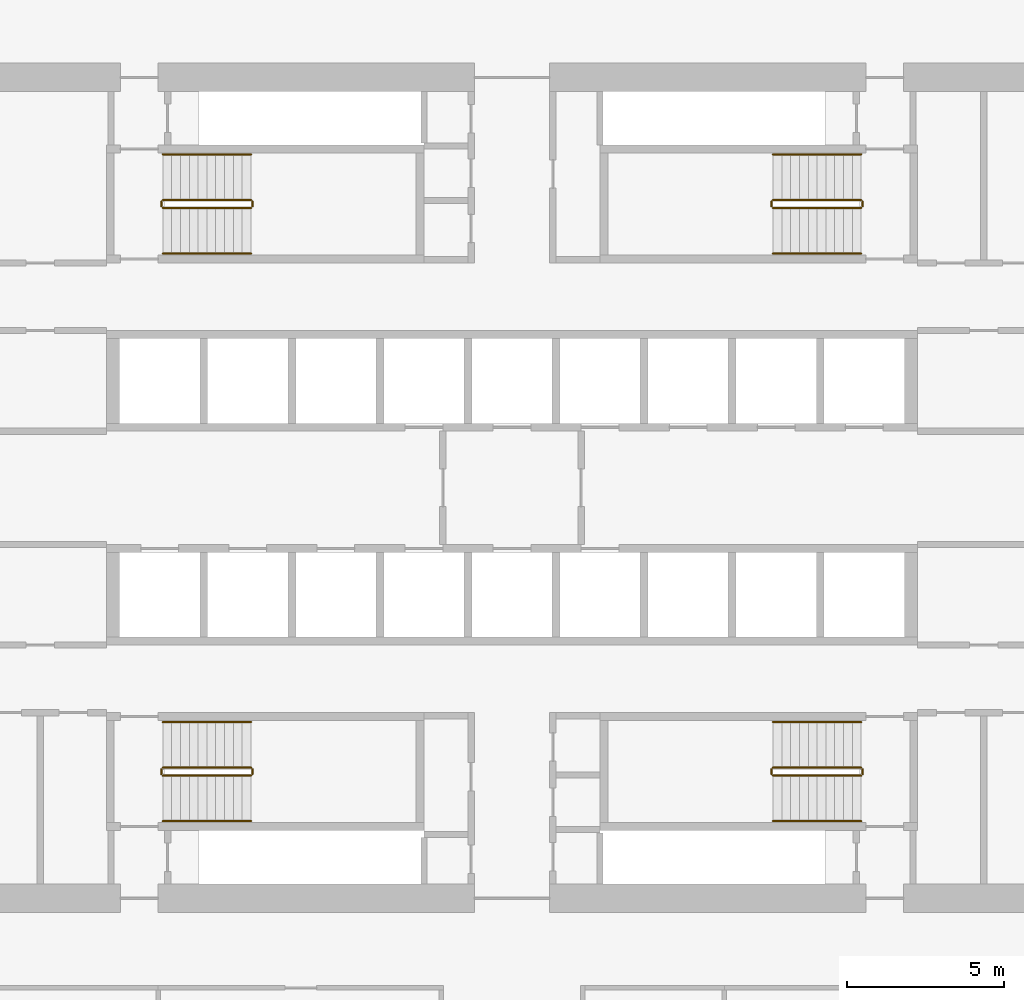
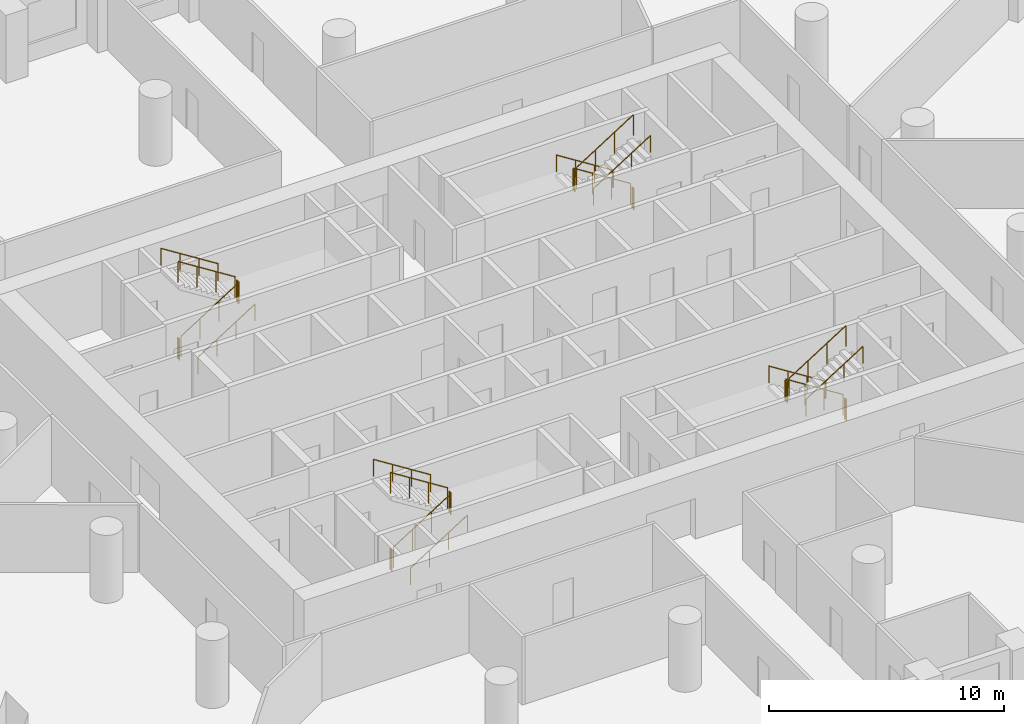
# One storey, part 10 of 10: 24 railings.
"""IFC4 building model written with IfcOpenShell, lengths in metres."""

from ifc_helpers import new_model, si_unit, direction, frame, origin, origin_2d, place, context, subcontext, project, spatial, circle, extrude, material, type_object, element, save


model = new_model("IFC4")

# Units and contexts
model_context = context("Model", 3, precision=1e-05, world=origin(), true_north=direction((0.0, 1.0)))
body_context = subcontext(model_context, "Body", "Model", "MODEL_VIEW")
ifc_project = project(units=[si_unit("LENGTHUNIT", "METRE"), si_unit("AREAUNIT", "SQUARE_METRE"), si_unit("VOLUMEUNIT", "CUBIC_METRE"), si_unit("PLANEANGLEUNIT", "RADIAN"), si_unit("MASSUNIT", "GRAM", prefix="KILO")], contexts=[model_context])

# Site, building, storey
site_placement = place(None, origin())
site = spatial("IfcSite", under=ifc_project, at=site_placement, CompositionType="ELEMENT")
building_placement = place(site_placement, origin())
building = spatial("IfcBuilding", under=site, at=building_placement, Name="Dhurran Vertical Campus", CompositionType="ELEMENT")
storey_placement = place(building_placement, frame((0.0, 0.0, 41.699951171875)))
storey = spatial("IfcBuildingStorey", under=building, at=storey_placement, Name="L09", CompositionType="ELEMENT", Elevation=41.699951171875)

# Railings
ifc_material_1 = material(Name="Stainless steel balustrade", Category="steel")
railing_type_1 = type_object("IfcRailingType", Name="co-RL-GUARD-1100", PredefinedType="GUARDRAIL", material=ifc_material_1)
railing_1_placement = place(storey_placement, frame((-11.10009765625, 8.89990234375, 0.17724609375)))
element("IfcRailing", 1, at=railing_1_placement, inside=storey, type_object=railing_type_1, Name="L09 ST1 stair guard 1", PredefinedType="GUARDRAIL", context=body_context, shape_type="SweptSolid", body=[
    extrude(circle(Radius=0.02392578125, at=origin_2d()), frame((0.0, 0.0, 1.076171875), z_axis=(0.844908973607, 0.0, 0.534910110503), x_axis=(0.0, 1.0, 0.0)), (0.0, 0.0, 1.0), 3.31396484375),
    extrude(circle(Radius=0.02099609375, at=origin_2d()), origin(), (0.0, 0.0, 1.0), 1.052001953125),
    extrude(circle(Radius=0.02099609375, at=origin_2d()), frame((0.933349609375, 0.0, 0.5908203125)), (0.0, 0.0, 1.0), 1.052001953125),
    extrude(circle(Radius=0.02099609375, at=origin_2d()), frame((1.86669921875, 0.0, 1.181884765625)), (0.0, 0.0, 1.0), 1.052001953125),
    extrude(circle(Radius=0.02099609375, at=origin_2d()), frame((2.800048828125, 0.0, 1.772705078125)), (0.0, 0.0, 1.0), 1.052001953125),
])
railing_2_placement = place(storey_placement, frame((-8.25, 8.949951171875, 1.949951171875)))
element("IfcRailing", 2, at=railing_2_placement, inside=storey, type_object=railing_type_1, Name="L09 ST1 stair guard 2", PredefinedType="GUARDRAIL", context=body_context, shape_type="SweptSolid", body=[
    extrude(circle(Radius=0.02392578125, at=origin_2d()), frame((0.0, 0.0, 1.076171875), z_axis=(0.0, 1.0, 0.0), x_axis=(-1.0, 0.0, 0.0)), (0.0, 0.0, 1.0), 0.150146484375),
    extrude(circle(Radius=0.02099609375, at=origin_2d()), origin(), (0.0, 0.0, 1.0), 1.052001953125),
    extrude(circle(Radius=0.02099609375, at=origin_2d()), frame((0.0, 0.150146484375, 0.0)), (0.0, 0.0, 1.0), 1.052001953125),
])
railing_3_placement = place(storey_placement, frame((-8.300048828125, 9.14990234375, 2.12744140625)))
element("IfcRailing", 3, at=railing_3_placement, inside=storey, type_object=railing_type_1, Name="L09 ST1 stair guard 3", PredefinedType="GUARDRAIL", context=body_context, shape_type="SweptSolid", body=[
    extrude(circle(Radius=0.02392578125, at=origin_2d()), frame((0.0, 0.0, 1.076171875), z_axis=(-0.844908973607, 0.0, 0.534910110503), x_axis=(0.0, -1.0, 0.0)), (0.0, 0.0, 1.0), 3.31396484375),
    extrude(circle(Radius=0.02099609375, at=origin_2d()), origin(), (0.0, 0.0, 1.0), 1.052001953125),
    extrude(circle(Radius=0.02099609375, at=origin_2d()), frame((-0.933349609375, 0.0, 0.5908203125)), (0.0, 0.0, 1.0), 1.052001953125),
    extrude(circle(Radius=0.02099609375, at=origin_2d()), frame((-1.86669921875, 0.0, 1.181884765625)), (0.0, 0.0, 1.0), 1.052001953125),
    extrude(circle(Radius=0.02099609375, at=origin_2d()), frame((-2.800048828125, 0.0, 1.772705078125)), (0.0, 0.0, 1.0), 1.052001953125),
])
railing_4_placement = place(storey_placement, frame((-11.14990234375, 8.949951171875, 0.0)))
element("IfcRailing", 4, at=railing_4_placement, inside=storey, type_object=railing_type_1, Name="L09 ST1 stair guard 4", PredefinedType="GUARDRAIL", context=body_context, shape_type="SweptSolid", body=[
    extrude(circle(Radius=0.02392578125, at=origin_2d()), frame((0.0, 0.0, 1.076171875), z_axis=(0.0, 1.0, 0.0), x_axis=(-1.0, 0.0, 0.0)), (0.0, 0.0, 1.0), 0.150146484375),
    extrude(circle(Radius=0.02099609375, at=origin_2d()), origin(), (0.0, 0.0, 1.0), 1.052001953125),
    extrude(circle(Radius=0.02099609375, at=origin_2d()), frame((0.0, 0.150146484375, 0.0)), (0.0, 0.0, 1.0), 1.052001953125),
])
railing_5_placement = place(storey_placement, frame((11.10009765625, 9.14990234375, 0.17724609375)))
element("IfcRailing", 5, at=railing_5_placement, inside=storey, type_object=railing_type_1, Name="L09 ST2 stair guard 1", PredefinedType="GUARDRAIL", context=body_context, shape_type="SweptSolid", body=[
    extrude(circle(Radius=0.02392578125, at=origin_2d()), frame((0.0, 0.0, 1.076171875), z_axis=(-0.844908973607, 0.0, 0.534910110503), x_axis=(0.0, -1.0, 0.0)), (0.0, 0.0, 1.0), 3.31396484375),
    extrude(circle(Radius=0.02099609375, at=origin_2d()), origin(), (0.0, 0.0, 1.0), 1.052001953125),
    extrude(circle(Radius=0.02099609375, at=origin_2d()), frame((-0.933349609375, 0.0, 0.5908203125)), (0.0, 0.0, 1.0), 1.052001953125),
    extrude(circle(Radius=0.02099609375, at=origin_2d()), frame((-1.86669921875, 0.0, 1.181884765625)), (0.0, 0.0, 1.0), 1.052001953125),
    extrude(circle(Radius=0.02099609375, at=origin_2d()), frame((-2.800048828125, 0.0, 1.772705078125)), (0.0, 0.0, 1.0), 1.052001953125),
])
railing_6_placement = place(storey_placement, frame((8.25, 9.10009765625, 1.949951171875)))
element("IfcRailing", 6, at=railing_6_placement, inside=storey, type_object=railing_type_1, Name="L09 ST2 stair guard 2", PredefinedType="GUARDRAIL", context=body_context, shape_type="SweptSolid", body=[
    extrude(circle(Radius=0.02392578125, at=origin_2d()), frame((0.0, 0.0, 1.076171875), z_axis=(0.0, -1.0, 0.0), x_axis=(1.0, 0.0, 0.0)), (0.0, 0.0, 1.0), 0.150146484375),
    extrude(circle(Radius=0.02099609375, at=origin_2d()), origin(), (0.0, 0.0, 1.0), 1.052001953125),
    extrude(circle(Radius=0.02099609375, at=origin_2d()), frame((0.0, -0.150146484375, 0.0)), (0.0, 0.0, 1.0), 1.052001953125),
])
railing_7_placement = place(storey_placement, frame((8.300048828125, 8.89990234375, 2.12744140625)))
element("IfcRailing", 7, at=railing_7_placement, inside=storey, type_object=railing_type_1, Name="L09 ST2 stair guard 3", PredefinedType="GUARDRAIL", context=body_context, shape_type="SweptSolid", body=[
    extrude(circle(Radius=0.02392578125, at=origin_2d()), frame((0.0, 0.0, 1.076171875), z_axis=(0.844908973607, 0.0, 0.534910110503), x_axis=(0.0, 1.0, 0.0)), (0.0, 0.0, 1.0), 3.31396484375),
    extrude(circle(Radius=0.02099609375, at=origin_2d()), origin(), (0.0, 0.0, 1.0), 1.052001953125),
    extrude(circle(Radius=0.02099609375, at=origin_2d()), frame((0.933349609375, 0.0, 0.5908203125)), (0.0, 0.0, 1.0), 1.052001953125),
    extrude(circle(Radius=0.02099609375, at=origin_2d()), frame((1.86669921875, 0.0, 1.181884765625)), (0.0, 0.0, 1.0), 1.052001953125),
    extrude(circle(Radius=0.02099609375, at=origin_2d()), frame((2.800048828125, 0.0, 1.772705078125)), (0.0, 0.0, 1.0), 1.052001953125),
])
railing_8_placement = place(storey_placement, frame((11.14990234375, 9.10009765625, 0.0)))
element("IfcRailing", 8, at=railing_8_placement, inside=storey, type_object=railing_type_1, Name="L09 ST2 stair guard 4", PredefinedType="GUARDRAIL", context=body_context, shape_type="SweptSolid", body=[
    extrude(circle(Radius=0.02392578125, at=origin_2d()), frame((0.0, 0.0, 1.076171875), z_axis=(0.0, -1.0, 0.0), x_axis=(1.0, 0.0, 0.0)), (0.0, 0.0, 1.0), 0.150146484375),
    extrude(circle(Radius=0.02099609375, at=origin_2d()), origin(), (0.0, 0.0, 1.0), 1.052001953125),
    extrude(circle(Radius=0.02099609375, at=origin_2d()), frame((0.0, -0.150146484375, 0.0)), (0.0, 0.0, 1.0), 1.052001953125),
])
railing_9_placement = place(storey_placement, frame((-11.10009765625, -9.14990234375, 0.17724609375)))
element("IfcRailing", 9, at=railing_9_placement, inside=storey, type_object=railing_type_1, Name="L09 ST3 stair guard 1", PredefinedType="GUARDRAIL", context=body_context, shape_type="SweptSolid", body=[
    extrude(circle(Radius=0.02392578125, at=origin_2d()), frame((0.0, 0.0, 1.076171875), z_axis=(0.844908973607, 0.0, 0.534910110503), x_axis=(0.0, 1.0, 0.0)), (0.0, 0.0, 1.0), 3.31396484375),
    extrude(circle(Radius=0.02099609375, at=origin_2d()), origin(), (0.0, 0.0, 1.0), 1.052001953125),
    extrude(circle(Radius=0.02099609375, at=origin_2d()), frame((0.933349609375, 0.0, 0.5908203125)), (0.0, 0.0, 1.0), 1.052001953125),
    extrude(circle(Radius=0.02099609375, at=origin_2d()), frame((1.86669921875, 0.0, 1.181884765625)), (0.0, 0.0, 1.0), 1.052001953125),
    extrude(circle(Radius=0.02099609375, at=origin_2d()), frame((2.800048828125, 0.0, 1.772705078125)), (0.0, 0.0, 1.0), 1.052001953125),
])
railing_10_placement = place(storey_placement, frame((-8.25, -9.10009765625, 1.949951171875)))
element("IfcRailing", 10, at=railing_10_placement, inside=storey, type_object=railing_type_1, Name="L09 ST3 stair guard 2", PredefinedType="GUARDRAIL", context=body_context, shape_type="SweptSolid", body=[
    extrude(circle(Radius=0.02392578125, at=origin_2d()), frame((0.0, 0.0, 1.076171875), z_axis=(0.0, 1.0, 0.0), x_axis=(-1.0, 0.0, 0.0)), (0.0, 0.0, 1.0), 0.150146484375),
    extrude(circle(Radius=0.02099609375, at=origin_2d()), origin(), (0.0, 0.0, 1.0), 1.052001953125),
    extrude(circle(Radius=0.02099609375, at=origin_2d()), frame((0.0, 0.150146484375, 0.0)), (0.0, 0.0, 1.0), 1.052001953125),
])
railing_11_placement = place(storey_placement, frame((-8.300048828125, -8.89990234375, 2.12744140625)))
element("IfcRailing", 11, at=railing_11_placement, inside=storey, type_object=railing_type_1, Name="L09 ST3 stair guard 3", PredefinedType="GUARDRAIL", context=body_context, shape_type="SweptSolid", body=[
    extrude(circle(Radius=0.02392578125, at=origin_2d()), frame((0.0, 0.0, 1.076171875), z_axis=(-0.844908973607, 0.0, 0.534910110503), x_axis=(0.0, -1.0, 0.0)), (0.0, 0.0, 1.0), 3.31396484375),
    extrude(circle(Radius=0.02099609375, at=origin_2d()), origin(), (0.0, 0.0, 1.0), 1.052001953125),
    extrude(circle(Radius=0.02099609375, at=origin_2d()), frame((-0.933349609375, 0.0, 0.5908203125)), (0.0, 0.0, 1.0), 1.052001953125),
    extrude(circle(Radius=0.02099609375, at=origin_2d()), frame((-1.86669921875, 0.0, 1.181884765625)), (0.0, 0.0, 1.0), 1.052001953125),
    extrude(circle(Radius=0.02099609375, at=origin_2d()), frame((-2.800048828125, 0.0, 1.772705078125)), (0.0, 0.0, 1.0), 1.052001953125),
])
railing_12_placement = place(storey_placement, frame((-11.14990234375, -9.10009765625, 0.0)))
element("IfcRailing", 12, at=railing_12_placement, inside=storey, type_object=railing_type_1, Name="L09 ST3 stair guard 4", PredefinedType="GUARDRAIL", context=body_context, shape_type="SweptSolid", body=[
    extrude(circle(Radius=0.02392578125, at=origin_2d()), frame((0.0, 0.0, 1.076171875), z_axis=(0.0, 1.0, 0.0), x_axis=(-1.0, 0.0, 0.0)), (0.0, 0.0, 1.0), 0.150146484375),
    extrude(circle(Radius=0.02099609375, at=origin_2d()), origin(), (0.0, 0.0, 1.0), 1.052001953125),
    extrude(circle(Radius=0.02099609375, at=origin_2d()), frame((0.0, 0.150146484375, 0.0)), (0.0, 0.0, 1.0), 1.052001953125),
])
railing_13_placement = place(storey_placement, frame((11.10009765625, -8.89990234375, 0.17724609375)))
element("IfcRailing", 13, at=railing_13_placement, inside=storey, type_object=railing_type_1, Name="L09 ST4 stair guard 1", PredefinedType="GUARDRAIL", context=body_context, shape_type="SweptSolid", body=[
    extrude(circle(Radius=0.02392578125, at=origin_2d()), frame((0.0, 0.0, 1.076171875), z_axis=(-0.844908973607, 0.0, 0.534910110503), x_axis=(0.0, -1.0, 0.0)), (0.0, 0.0, 1.0), 3.31396484375),
    extrude(circle(Radius=0.02099609375, at=origin_2d()), origin(), (0.0, 0.0, 1.0), 1.052001953125),
    extrude(circle(Radius=0.02099609375, at=origin_2d()), frame((-0.933349609375, 0.0, 0.5908203125)), (0.0, 0.0, 1.0), 1.052001953125),
    extrude(circle(Radius=0.02099609375, at=origin_2d()), frame((-1.86669921875, 0.0, 1.181884765625)), (0.0, 0.0, 1.0), 1.052001953125),
    extrude(circle(Radius=0.02099609375, at=origin_2d()), frame((-2.800048828125, 0.0, 1.772705078125)), (0.0, 0.0, 1.0), 1.052001953125),
])
railing_14_placement = place(storey_placement, frame((8.25, -8.949951171875, 1.949951171875)))
element("IfcRailing", 14, at=railing_14_placement, inside=storey, type_object=railing_type_1, Name="L09 ST4 stair guard 2", PredefinedType="GUARDRAIL", context=body_context, shape_type="SweptSolid", body=[
    extrude(circle(Radius=0.02392578125, at=origin_2d()), frame((0.0, 0.0, 1.076171875), z_axis=(0.0, -1.0, 0.0), x_axis=(1.0, 0.0, 0.0)), (0.0, 0.0, 1.0), 0.150146484375),
    extrude(circle(Radius=0.02099609375, at=origin_2d()), origin(), (0.0, 0.0, 1.0), 1.052001953125),
    extrude(circle(Radius=0.02099609375, at=origin_2d()), frame((0.0, -0.150146484375, 0.0)), (0.0, 0.0, 1.0), 1.052001953125),
])
railing_15_placement = place(storey_placement, frame((8.300048828125, -9.14990234375, 2.12744140625)))
element("IfcRailing", 15, at=railing_15_placement, inside=storey, type_object=railing_type_1, Name="L09 ST4 stair guard 3", PredefinedType="GUARDRAIL", context=body_context, shape_type="SweptSolid", body=[
    extrude(circle(Radius=0.02392578125, at=origin_2d()), frame((0.0, 0.0, 1.076171875), z_axis=(0.844908973607, 0.0, 0.534910110503), x_axis=(0.0, 1.0, 0.0)), (0.0, 0.0, 1.0), 3.31396484375),
    extrude(circle(Radius=0.02099609375, at=origin_2d()), origin(), (0.0, 0.0, 1.0), 1.052001953125),
    extrude(circle(Radius=0.02099609375, at=origin_2d()), frame((0.933349609375, 0.0, 0.5908203125)), (0.0, 0.0, 1.0), 1.052001953125),
    extrude(circle(Radius=0.02099609375, at=origin_2d()), frame((1.86669921875, 0.0, 1.181884765625)), (0.0, 0.0, 1.0), 1.052001953125),
    extrude(circle(Radius=0.02099609375, at=origin_2d()), frame((2.800048828125, 0.0, 1.772705078125)), (0.0, 0.0, 1.0), 1.052001953125),
])
railing_16_placement = place(storey_placement, frame((11.14990234375, -8.949951171875, 0.0)))
element("IfcRailing", 16, at=railing_16_placement, inside=storey, type_object=railing_type_1, Name="L09 ST4 stair guard 4", PredefinedType="GUARDRAIL", context=body_context, shape_type="SweptSolid", body=[
    extrude(circle(Radius=0.02392578125, at=origin_2d()), frame((0.0, 0.0, 1.076171875), z_axis=(0.0, -1.0, 0.0), x_axis=(1.0, 0.0, 0.0)), (0.0, 0.0, 1.0), 0.150146484375),
    extrude(circle(Radius=0.02099609375, at=origin_2d()), origin(), (0.0, 0.0, 1.0), 1.052001953125),
    extrude(circle(Radius=0.02099609375, at=origin_2d()), frame((0.0, -0.150146484375, 0.0)), (0.0, 0.0, 1.0), 1.052001953125),
])
ifc_material_2 = material(Name="Stainless steel handrail", Category="steel")
railing_type_2 = type_object("IfcRailingType", Name="co-RL-HANDRAIL-900", PredefinedType="HANDRAIL", material=ifc_material_2)
railing_17_placement = place(storey_placement, frame((-11.10009765625, 7.449951171875, 0.17724609375)))
element("IfcRailing", 17, at=railing_17_placement, inside=storey, type_object=railing_type_2, Name="L09 ST1 stair handrail 1", PredefinedType="HANDRAIL", context=body_context, shape_type="SweptSolid", body=[
    extrude(circle(Radius=0.02392578125, at=origin_2d()), frame((0.0, 0.0, 0.8759765625), z_axis=(0.844908973607, 0.0, 0.534910110503), x_axis=(0.0, 1.0, 0.0)), (0.0, 0.0, 1.0), 3.31396484375),
    extrude(circle(Radius=0.02099609375, at=origin_2d()), origin(), (0.0, 0.0, 1.0), 0.851806640625),
    extrude(circle(Radius=0.02099609375, at=origin_2d()), frame((0.933349609375, 0.0, 0.5908203125)), (0.0, 0.0, 1.0), 0.851806640625),
    extrude(circle(Radius=0.02099609375, at=origin_2d()), frame((1.86669921875, 0.0, 1.181884765625)), (0.0, 0.0, 1.0), 0.851806640625),
    extrude(circle(Radius=0.02099609375, at=origin_2d()), frame((2.800048828125, 0.0, 1.772705078125)), (0.0, 0.0, 1.0), 0.851806640625),
])
for number, where, name in (
    (18, (-8.300048828125, 10.60009765625, 2.12744140625), "L09 ST1 stair handrail 2"),
    (19, (11.10009765625, 10.60009765625, 0.17724609375), "L09 ST2 stair handrail 1"),
):
    element("IfcRailing", number, at=place(storey_placement, frame(where)), inside=storey, type_object=railing_type_2, Name=name, PredefinedType="HANDRAIL", context=body_context, shape_type="SweptSolid", body=[
        extrude(circle(Radius=0.02392578125, at=origin_2d()), frame((0.0, 0.0, 0.8759765625), z_axis=(-0.844908973607, 0.0, 0.534910110503), x_axis=(0.0, -1.0, 0.0)), (0.0, 0.0, 1.0), 3.31396484375),
        extrude(circle(Radius=0.02099609375, at=origin_2d()), origin(), (0.0, 0.0, 1.0), 0.851806640625),
        extrude(circle(Radius=0.02099609375, at=origin_2d()), frame((-0.933349609375, 0.0, 0.5908203125)), (0.0, 0.0, 1.0), 0.851806640625),
        extrude(circle(Radius=0.02099609375, at=origin_2d()), frame((-1.86669921875, 0.0, 1.181884765625)), (0.0, 0.0, 1.0), 0.851806640625),
        extrude(circle(Radius=0.02099609375, at=origin_2d()), frame((-2.800048828125, 0.0, 1.772705078125)), (0.0, 0.0, 1.0), 0.851806640625),
    ])
for number, where, name in (
    (20, (8.300048828125, 7.449951171875, 2.12744140625), "L09 ST2 stair handrail 2"),
    (21, (-11.10009765625, -10.60009765625, 0.17724609375), "L09 ST3 stair handrail 1"),
):
    element("IfcRailing", number, at=place(storey_placement, frame(where)), inside=storey, type_object=railing_type_2, Name=name, PredefinedType="HANDRAIL", context=body_context, shape_type="SweptSolid", body=[
        extrude(circle(Radius=0.02392578125, at=origin_2d()), frame((0.0, 0.0, 0.8759765625), z_axis=(0.844908973607, 0.0, 0.534910110503), x_axis=(0.0, 1.0, 0.0)), (0.0, 0.0, 1.0), 3.31396484375),
        extrude(circle(Radius=0.02099609375, at=origin_2d()), origin(), (0.0, 0.0, 1.0), 0.851806640625),
        extrude(circle(Radius=0.02099609375, at=origin_2d()), frame((0.933349609375, 0.0, 0.5908203125)), (0.0, 0.0, 1.0), 0.851806640625),
        extrude(circle(Radius=0.02099609375, at=origin_2d()), frame((1.86669921875, 0.0, 1.181884765625)), (0.0, 0.0, 1.0), 0.851806640625),
        extrude(circle(Radius=0.02099609375, at=origin_2d()), frame((2.800048828125, 0.0, 1.772705078125)), (0.0, 0.0, 1.0), 0.851806640625),
    ])
for number, where, name in (
    (22, (-8.300048828125, -7.449951171875, 2.12744140625), "L09 ST3 stair handrail 2"),
    (23, (11.10009765625, -7.449951171875, 0.17724609375), "L09 ST4 stair handrail 1"),
):
    element("IfcRailing", number, at=place(storey_placement, frame(where)), inside=storey, type_object=railing_type_2, Name=name, PredefinedType="HANDRAIL", context=body_context, shape_type="SweptSolid", body=[
        extrude(circle(Radius=0.02392578125, at=origin_2d()), frame((0.0, 0.0, 0.8759765625), z_axis=(-0.844908973607, 0.0, 0.534910110503), x_axis=(0.0, -1.0, 0.0)), (0.0, 0.0, 1.0), 3.31396484375),
        extrude(circle(Radius=0.02099609375, at=origin_2d()), origin(), (0.0, 0.0, 1.0), 0.851806640625),
        extrude(circle(Radius=0.02099609375, at=origin_2d()), frame((-0.933349609375, 0.0, 0.5908203125)), (0.0, 0.0, 1.0), 0.851806640625),
        extrude(circle(Radius=0.02099609375, at=origin_2d()), frame((-1.86669921875, 0.0, 1.181884765625)), (0.0, 0.0, 1.0), 0.851806640625),
        extrude(circle(Radius=0.02099609375, at=origin_2d()), frame((-2.800048828125, 0.0, 1.772705078125)), (0.0, 0.0, 1.0), 0.851806640625),
    ])
railing_18_placement = place(storey_placement, frame((8.300048828125, -10.60009765625, 2.12744140625)))
element("IfcRailing", 24, at=railing_18_placement, inside=storey, type_object=railing_type_2, Name="L09 ST4 stair handrail 2", PredefinedType="HANDRAIL", context=body_context, shape_type="SweptSolid", body=[
    extrude(circle(Radius=0.02392578125, at=origin_2d()), frame((0.0, 0.0, 0.8759765625), z_axis=(0.844908973607, 0.0, 0.534910110503), x_axis=(0.0, 1.0, 0.0)), (0.0, 0.0, 1.0), 3.31396484375),
    extrude(circle(Radius=0.02099609375, at=origin_2d()), origin(), (0.0, 0.0, 1.0), 0.851806640625),
    extrude(circle(Radius=0.02099609375, at=origin_2d()), frame((0.933349609375, 0.0, 0.5908203125)), (0.0, 0.0, 1.0), 0.851806640625),
    extrude(circle(Radius=0.02099609375, at=origin_2d()), frame((1.86669921875, 0.0, 1.181884765625)), (0.0, 0.0, 1.0), 0.851806640625),
    extrude(circle(Radius=0.02099609375, at=origin_2d()), frame((2.800048828125, 0.0, 1.772705078125)), (0.0, 0.0, 1.0), 0.851806640625),
])

save(model, "model.ifc")
